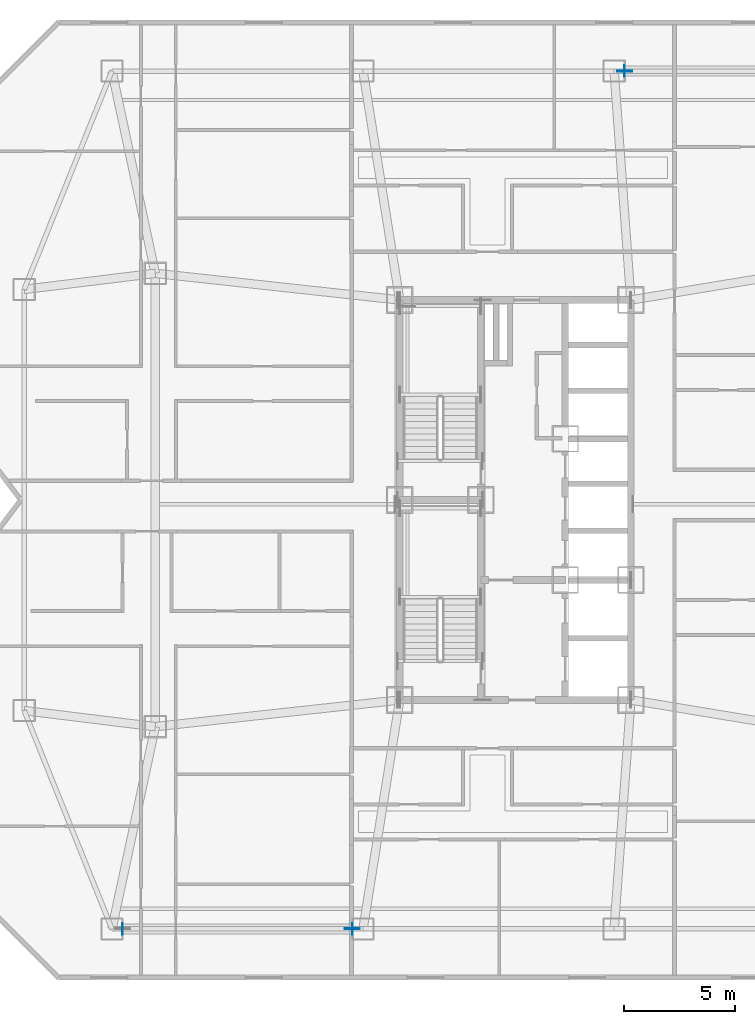
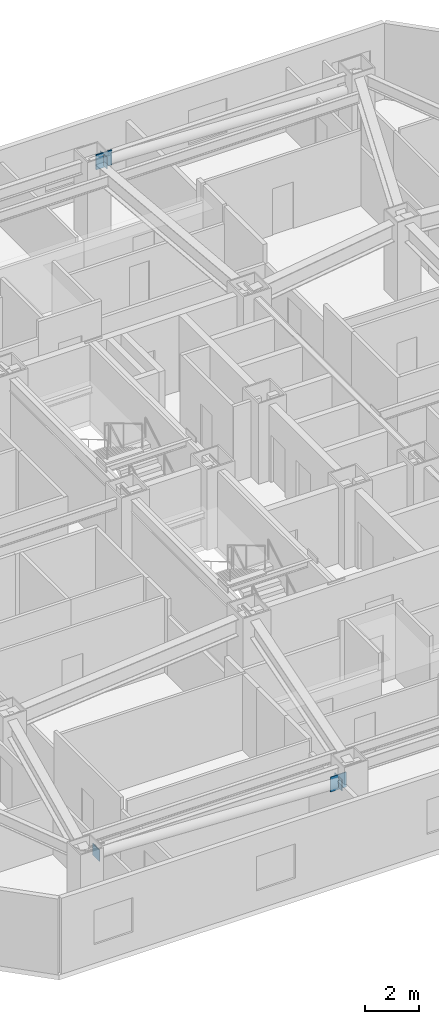
# One storey, part 5 of 15: 5 plates.
"""IFC4 building model written with IfcOpenShell, lengths in metres."""

from ifc_helpers import new_model, si_unit, direction, frame, origin, origin_2d, place, context, subcontext, project, spatial, rectangle, extrude, material, layer, layer_set, type_object, element, save


model = new_model("IFC4")

# Units and contexts
model_context = context("Model", 3, precision=1e-05, world=origin(), true_north=direction((0.0, 1.0)))
body_context = subcontext(model_context, "Body", "Model", "MODEL_VIEW")
ifc_project = project(units=[si_unit("LENGTHUNIT", "METRE"), si_unit("AREAUNIT", "SQUARE_METRE"), si_unit("VOLUMEUNIT", "CUBIC_METRE"), si_unit("PLANEANGLEUNIT", "RADIAN"), si_unit("MASSUNIT", "GRAM", prefix="KILO")], contexts=[model_context])

# Site, building, storey
site_placement = place(None, origin())
site = spatial("IfcSite", under=ifc_project, at=site_placement, CompositionType="ELEMENT")
building_placement = place(site_placement, origin())
building = spatial("IfcBuilding", under=site, at=building_placement, Name="Khamvora Tower", CompositionType="ELEMENT")
storey_placement = place(building_placement, frame((0.0, 0.0, 101.89990234375)))
storey = spatial("IfcBuildingStorey", under=building, at=storey_placement, Name="L25", CompositionType="ELEMENT", Elevation=101.89990234375)

# Plates
ifc_material_1 = material(Name="Steel S355", Category="steel")
ifc_layer_1 = layer(ifc_material_1, 0.02490234375)
ifc_layer_set_1 = layer_set([ifc_layer_1], Name="Steel S355")
plate_type_1 = type_object("IfcPlateType", Name="PL-CAP-25", PredefinedType="SHEET", material=ifc_layer_set_1)
for number, where, z_axis, x_axis, name in (
    (1, (26.882080078125, 8.699951171875, 2.440673828125), (0.0, 0.0, 1.0), (-1.0, 0.0, 0.0), "L25 hollow section steel end cap plate 0744"),
    (2, (16.51806640625, 8.699951171875, 2.883544921875), (0.0, 0.0, 1.0), (-1.0, 0.0, 0.0), "L25 hollow section steel end cap plate 0745"),
    (3, (39.117919921875, 47.300048828125, 2.883544921875), (0.0, 0.0, 1.0), (-1.0, 0.0, 0.0), "L25 hollow section steel end cap plate 0747"),
):
    element("IfcPlate", number, at=place(storey_placement, frame(where, z_axis=z_axis, x_axis=x_axis)), inside=storey, type_object=plate_type_1, Name=name, PredefinedType="SHEET", context=body_context, shape_type="SweptSolid", body=[
        extrude(rectangle(XDim=0.02490234375, YDim=0.51708984375, at=origin_2d()), origin(), (0.0, 0.0, 1.0), 0.51708984375),
    ])
ifc_material_2 = material(Name="Steel S460", Category="steel")
ifc_layer_2 = layer(ifc_material_2, 0.0400390625)
ifc_layer_set_2 = layer_set([ifc_layer_2], Name="Steel S460")
plate_type_2 = type_object("IfcPlateType", Name="PLT-GUS-40", PredefinedType="SHEET", material=ifc_layer_set_2)
for number, where, z_axis, x_axis, name in (
    (4, (26.8701171875, 8.699951171875, 2.3603515625), (0.0, 0.0, 1.0), (1.0, 0.0, 0.0), "L25 brace connection node gusset plate 0177"),
    (5, (39.1298828125, 47.300048828125, 2.80126953125), (0.0, 0.0, 1.0), (1.0, 0.0, 0.0), "L25 brace connection node gusset plate 0180"),
):
    element("IfcPlate", number, at=place(storey_placement, frame(where, z_axis=z_axis, x_axis=x_axis)), inside=storey, type_object=plate_type_2, Name=name, PredefinedType="SHEET", context=body_context, shape_type="SweptSolid", body=[
        extrude(rectangle(XDim=0.679931640625, YDim=0.0400390625, at=origin_2d()), origin(), (0.0, 0.0, 1.0), 0.679931640625),
    ])

save(model, "model.ifc")
